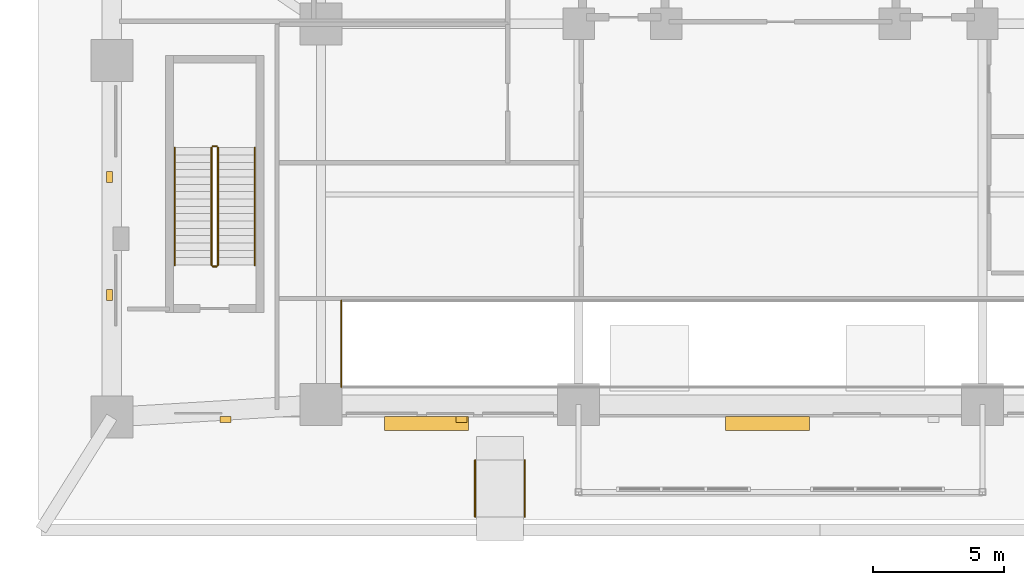
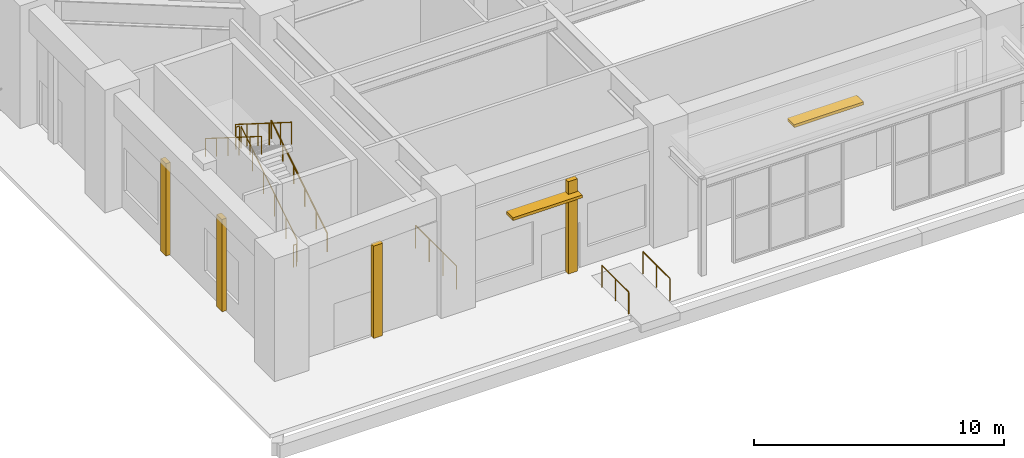
# One storey, part 18 of 24: 9 railings, 4 coverings, 2 shading devices.
"""IFC4 building model written with IfcOpenShell, lengths in metres."""

from ifc_helpers import new_model, si_unit, derived_unit, direction, frame, origin, origin_2d, place, context, subcontext, project, spatial, rectangle, circle, extrude, material, layer, layer_set, type_object, element, save


model = new_model("IFC4")

# Units and contexts
model_context = context("Model", 3, precision=1e-05, world=origin(), true_north=direction((0.0, 1.0)))
body_context = subcontext(model_context, "Body", "Model", "MODEL_VIEW")
ifc_project = project(units=[si_unit("LENGTHUNIT", "METRE"), si_unit("AREAUNIT", "SQUARE_METRE"), si_unit("VOLUMEUNIT", "CUBIC_METRE"), si_unit("PLANEANGLEUNIT", "RADIAN"), si_unit("MASSUNIT", "GRAM", prefix="KILO"), derived_unit("THERMALTRANSMITTANCEUNIT", [(si_unit("MASSUNIT", "GRAM", prefix="KILO"), 1), (si_unit("TIMEUNIT", "SECOND"), -3), (si_unit("THERMODYNAMICTEMPERATUREUNIT", "KELVIN"), -1)])], contexts=[model_context])

# Site, building, storey
site_placement = place(None, origin())
site = spatial("IfcSite", under=ifc_project, at=site_placement, CompositionType="ELEMENT")
building_placement = place(site_placement, origin())
building = spatial("IfcBuilding", under=site, at=building_placement, Name="Korrvale Station Residences", CompositionType="ELEMENT")
storey_placement = place(building_placement, origin())
storey = spatial("IfcBuildingStorey", under=building, at=storey_placement, Name="L00", CompositionType="ELEMENT", Elevation=0.0)

# Coverings
ifc_material_1 = material(Name="Architectural precast concrete C45/55", Category="concrete")
ifc_layer = layer(ifc_material_1, 0.219970703125, Name="Architectural precast concrete C45/55")
ifc_layer_set = layer_set([ifc_layer], Name="Architectural precast concrete C45/55")
covering_type = type_object("IfcCoveringType", Name="COV-PIER-400", PredefinedType="CLADDING", material=ifc_layer_set)
for number, where, z_axis, x_axis, name in (
    (1, (13.340087890625, -0.090087890625, 0.02490234375), (0.0, 0.0, 1.0), (1.0, 0.0, 0.0), "L00 Architectural Precast Facade Pier 05"),
    (2, (4.340087890625, -0.090087890625, 0.02490234375), (0.0, 0.0, 1.0), (1.0, 0.0, 0.0), "L00 Architectural Precast Facade Pier 06"),
    (3, (-0.090087890625, 4.659912109375, 0.02490234375), (0.0, 0.0, 1.0), (0.0, 1.0, 0.0), "L00 Architectural Precast Facade Pier 13"),
    (4, (-0.090087890625, 9.159912109375, 0.02490234375), (0.0, 0.0, 1.0), (0.0, 1.0, 0.0), "L00 Architectural Precast Facade Pier 14"),
):
    element("IfcCovering", number, at=place(storey_placement, frame(where, z_axis=z_axis, x_axis=x_axis)), inside=storey, type_object=covering_type, Name=name, PredefinedType="CLADDING", context=body_context, shape_type="SweptSolid", body=[
        extrude(rectangle(XDim=0.419921875, YDim=0.219970703125, at=origin_2d()), origin(), (0.0, 0.0, 1.0), 4.514892578125),
    ])

# Railings
ifc_material_2 = material(Name="Laminated glass and brushed bronze interior atrium balustrade", Category="glass")
railing_type_1 = type_object("IfcRailingType", Name="RLG-ATR-1150", PredefinedType="BALUSTRADE", material=ifc_material_2)
railing_1_placement = place(storey_placement, frame((8.75, 1.14990234375, 0.0)))
element("IfcRailing", 5, at=railing_1_placement, inside=storey, type_object=railing_type_1, Name="L00 Vehicle Ramp Well West Guardrail", PredefinedType="BALUSTRADE", context=body_context, shape_type="SweptSolid", body=[
    extrude(circle(Radius=0.02392578125, at=origin_2d()), frame((0.0, 0.0, 1.1259765625), z_axis=(0.0, 1.0, 0.0), x_axis=(-1.0, 0.0, 0.0)), (0.0, 0.0, 1.0), 3.300048828125),
    extrude(circle(Radius=0.02099609375, at=origin_2d()), origin(), (0.0, 0.0, 1.0), 1.101806640625),
    extrude(circle(Radius=0.02099609375, at=origin_2d()), frame((0.0, 1.10009765625, 0.0)), (0.0, 0.0, 1.0), 1.101806640625),
    extrude(circle(Radius=0.02099609375, at=origin_2d()), frame((0.0, 2.199951171875, 0.0)), (0.0, 0.0, 1.0), 1.101806640625),
    extrude(circle(Radius=0.02099609375, at=origin_2d()), frame((0.0, 3.300048828125, 0.0)), (0.0, 0.0, 1.0), 1.101806640625),
])
ifc_material_3 = material(Name="Brushed stainless-steel accessibility ramp guard-handrail", Category="steel")
railing_type_2 = type_object("IfcRailingType", Name="RLG-RMP-1100", PredefinedType="GUARDRAIL", material=ifc_material_3)
for number, where, name in (
    (6, (13.85009765625, -3.800048828125, 0.0), "Accessible Ramp Guard-Handrail R-ACC-1-A"),
    (7, (15.75, -3.800048828125, 0.0), "Accessible Ramp Guard-Handrail R-ACC-1-B"),
):
    element("IfcRailing", number, at=place(storey_placement, frame(where)), inside=storey, type_object=railing_type_2, Name=name, PredefinedType="GUARDRAIL", context=body_context, shape_type="SweptSolid", body=[
        extrude(circle(Radius=0.02392578125, at=origin_2d()), frame((0.0, 0.0, 1.076171875), z_axis=(0.0, 1.0, 0.0), x_axis=(-1.0, 0.0, 0.0)), (0.0, 0.0, 1.0), 2.16015625),
        extrude(circle(Radius=0.02099609375, at=origin_2d()), origin(), (0.0, 0.0, 1.0), 1.052001953125),
        extrude(circle(Radius=0.02099609375, at=origin_2d()), frame((0.0, 1.080078125, 0.0)), (0.0, 0.0, 1.0), 1.052001953125),
        extrude(circle(Radius=0.02099609375, at=origin_2d()), frame((0.0, 2.16015625, 0.0)), (0.0, 0.0, 1.0), 1.052001953125),
    ])
ifc_material_4 = material(Name="Brushed stainless-steel continuous stair handrail", Category="steel")
railing_type_3 = type_object("IfcRailingType", Name="RLG-SHND-900", PredefinedType="HANDRAIL", material=ifc_material_4)
railing_2_placement = place(storey_placement, frame((5.449951171875, 5.800048828125, 0.176513671875)))
element("IfcRailing", 8, at=railing_2_placement, inside=storey, type_object=railing_type_3, Name="L00 ST-3 stair handrail 1", PredefinedType="HANDRAIL", context=body_context, shape_type="SweptSolid", body=[
    extrude(circle(Radius=0.02392578125, at=origin_2d()), frame((0.0, 0.0, 0.8759765625), z_axis=(0.0, 0.845997938375, 0.533186166611), x_axis=(-1.0, 0.0, 0.0)), (0.0, 0.0, 1.0), 5.29541015625),
    extrude(circle(Radius=0.02099609375, at=origin_2d()), origin(), (0.0, 0.0, 1.0), 0.851806640625),
    extrude(circle(Radius=0.02099609375, at=origin_2d()), frame((0.0, 0.89599609375, 0.564697265625)), (0.0, 0.0, 1.0), 0.851806640625),
    extrude(circle(Radius=0.02099609375, at=origin_2d()), frame((0.0, 1.7919921875, 1.12939453125)), (0.0, 0.0, 1.0), 0.851806640625),
    extrude(circle(Radius=0.02099609375, at=origin_2d()), frame((0.0, 2.68798828125, 1.694091796875)), (0.0, 0.0, 1.0), 0.851806640625),
    extrude(circle(Radius=0.02099609375, at=origin_2d()), frame((0.0, 3.583984375, 2.2587890625)), (0.0, 0.0, 1.0), 0.851806640625),
    extrude(circle(Radius=0.02099609375, at=origin_2d()), frame((0.0, 4.47998046875, 2.823486328125)), (0.0, 0.0, 1.0), 0.851806640625),
])
railing_3_placement = place(storey_placement, frame((2.39990234375, 10.280029296875, 3.176513671875)))
element("IfcRailing", 9, at=railing_3_placement, inside=storey, type_object=railing_type_3, Name="L00 ST-3 stair handrail 2", PredefinedType="HANDRAIL", context=body_context, shape_type="SweptSolid", body=[
    extrude(circle(Radius=0.02392578125, at=origin_2d()), frame((0.0, 0.0, 0.8759765625), z_axis=(0.0, -0.845997938375, 0.533186166611), x_axis=(1.0, 0.0, 0.0)), (0.0, 0.0, 1.0), 5.29541015625),
    extrude(circle(Radius=0.02099609375, at=origin_2d()), origin(), (0.0, 0.0, 1.0), 0.851806640625),
    extrude(circle(Radius=0.02099609375, at=origin_2d()), frame((0.0, -0.89599609375, 0.564697265625)), (0.0, 0.0, 1.0), 0.851806640625),
    extrude(circle(Radius=0.02099609375, at=origin_2d()), frame((0.0, -1.7919921875, 1.12939453125)), (0.0, 0.0, 1.0), 0.851806640625),
    extrude(circle(Radius=0.02099609375, at=origin_2d()), frame((0.0, -2.68798828125, 1.694091796875)), (0.0, 0.0, 1.0), 0.851806640625),
    extrude(circle(Radius=0.02099609375, at=origin_2d()), frame((0.0, -3.583984375, 2.2587890625)), (0.0, 0.0, 1.0), 0.851806640625),
    extrude(circle(Radius=0.02099609375, at=origin_2d()), frame((0.0, -4.47998046875, 2.823486328125)), (0.0, 0.0, 1.0), 0.851806640625),
])
ifc_material_5 = material(Name="Galvanised painted tubular steel stair guard", Category="steel")
railing_type_4 = type_object("IfcRailingType", Name="RLG-STR-1100", PredefinedType="GUARDRAIL", material=ifc_material_5)
railing_4_placement = place(storey_placement, frame((4.050048828125, 5.800048828125, 0.176513671875)))
element("IfcRailing", 10, at=railing_4_placement, inside=storey, type_object=railing_type_4, Name="L00 ST-3 stair guard 1", PredefinedType="GUARDRAIL", context=body_context, shape_type="SweptSolid", body=[
    extrude(circle(Radius=0.02392578125, at=origin_2d()), frame((0.0, 0.0, 1.076171875), z_axis=(0.0, 0.845997938375, 0.533186166611), x_axis=(-1.0, 0.0, 0.0)), (0.0, 0.0, 1.0), 5.29541015625),
    extrude(circle(Radius=0.02099609375, at=origin_2d()), origin(), (0.0, 0.0, 1.0), 1.052001953125),
    extrude(circle(Radius=0.02099609375, at=origin_2d()), frame((0.0, 0.89599609375, 0.564697265625)), (0.0, 0.0, 1.0), 1.052001953125),
    extrude(circle(Radius=0.02099609375, at=origin_2d()), frame((0.0, 1.7919921875, 1.12939453125)), (0.0, 0.0, 1.0), 1.052001953125),
    extrude(circle(Radius=0.02099609375, at=origin_2d()), frame((0.0, 2.68798828125, 1.694091796875)), (0.0, 0.0, 1.0), 1.052001953125),
    extrude(circle(Radius=0.02099609375, at=origin_2d()), frame((0.0, 3.583984375, 2.2587890625)), (0.0, 0.0, 1.0), 1.052001953125),
    extrude(circle(Radius=0.02099609375, at=origin_2d()), frame((0.0, 4.47998046875, 2.823486328125)), (0.0, 0.0, 1.0), 1.052001953125),
])
railing_5_placement = place(storey_placement, frame((4.0, 10.330078125, 3.0)))
element("IfcRailing", 11, at=railing_5_placement, inside=storey, type_object=railing_type_4, Name="L00 ST-3 stair guard 2", PredefinedType="GUARDRAIL", context=body_context, shape_type="SweptSolid", body=[
    extrude(circle(Radius=0.02392578125, at=origin_2d()), frame((0.0, 0.0, 1.076171875), z_axis=(-1.0, 0.0, 0.0), x_axis=(0.0, -1.0, 0.0)), (0.0, 0.0, 1.0), 0.14990234375),
    extrude(circle(Radius=0.02099609375, at=origin_2d()), origin(), (0.0, 0.0, 1.0), 1.052001953125),
    extrude(circle(Radius=0.02099609375, at=origin_2d()), frame((-0.14990234375, 0.0, 0.0)), (0.0, 0.0, 1.0), 1.052001953125),
])
railing_6_placement = place(storey_placement, frame((3.800048828125, 10.280029296875, 3.176513671875)))
element("IfcRailing", 12, at=railing_6_placement, inside=storey, type_object=railing_type_4, Name="L00 ST-3 stair guard 3", PredefinedType="GUARDRAIL", context=body_context, shape_type="SweptSolid", body=[
    extrude(circle(Radius=0.02392578125, at=origin_2d()), frame((0.0, 0.0, 1.076171875), z_axis=(0.0, -0.845997938375, 0.533186166611), x_axis=(1.0, 0.0, 0.0)), (0.0, 0.0, 1.0), 5.29541015625),
    extrude(circle(Radius=0.02099609375, at=origin_2d()), origin(), (0.0, 0.0, 1.0), 1.052001953125),
    extrude(circle(Radius=0.02099609375, at=origin_2d()), frame((0.0, -0.89599609375, 0.564697265625)), (0.0, 0.0, 1.0), 1.052001953125),
    extrude(circle(Radius=0.02099609375, at=origin_2d()), frame((0.0, -1.7919921875, 1.12939453125)), (0.0, 0.0, 1.0), 1.052001953125),
    extrude(circle(Radius=0.02099609375, at=origin_2d()), frame((0.0, -2.68798828125, 1.694091796875)), (0.0, 0.0, 1.0), 1.052001953125),
    extrude(circle(Radius=0.02099609375, at=origin_2d()), frame((0.0, -3.583984375, 2.2587890625)), (0.0, 0.0, 1.0), 1.052001953125),
    extrude(circle(Radius=0.02099609375, at=origin_2d()), frame((0.0, -4.47998046875, 2.823486328125)), (0.0, 0.0, 1.0), 1.052001953125),
])
railing_7_placement = place(storey_placement, frame((4.0, 5.75, 0.0)))
element("IfcRailing", 13, at=railing_7_placement, inside=storey, type_object=railing_type_4, Name="L00 ST-3 stair guard 4", PredefinedType="GUARDRAIL", context=body_context, shape_type="SweptSolid", body=[
    extrude(circle(Radius=0.02392578125, at=origin_2d()), frame((0.0, 0.0, 1.076171875), z_axis=(-1.0, 0.0, 0.0), x_axis=(0.0, -1.0, 0.0)), (0.0, 0.0, 1.0), 0.14990234375),
    extrude(circle(Radius=0.02099609375, at=origin_2d()), origin(), (0.0, 0.0, 1.0), 1.052001953125),
    extrude(circle(Radius=0.02099609375, at=origin_2d()), frame((-0.14990234375, 0.0, 0.0)), (0.0, 0.0, 1.0), 1.052001953125),
])

# Shading devices
ifc_material_6 = material(Name="Anodised aluminium sunshade blade", Category="aluminium")
shading_device_type = type_object("IfcShadingDeviceType", Name="SHD-SUN-POD", PredefinedType="JALOUSIE", material=ifc_material_6)
for number, where, z_axis, x_axis, name in (
    (14, (12.0, -0.239990234375, 3.7802734375), (0.0, 0.0, 1.0), (1.0, 0.0, 0.0), "Podium Street Sunshade Blade 1"),
    (15, (25.0, -0.239990234375, 3.7802734375), (0.0, 0.0, 1.0), (1.0, 0.0, 0.0), "Podium Street Sunshade Blade 2"),
):
    element("IfcShadingDevice", number, at=place(storey_placement, frame(where, z_axis=z_axis, x_axis=x_axis)), inside=storey, type_object=shading_device_type, Name=name, PredefinedType="JALOUSIE", context=body_context, shape_type="SweptSolid", body=[
        extrude(rectangle(XDim=3.199951171875, YDim=0.550048828125, at=origin_2d()), origin(), (0.0, 0.0, 1.0), 0.139892578125),
    ])

save(model, "model.ifc")
